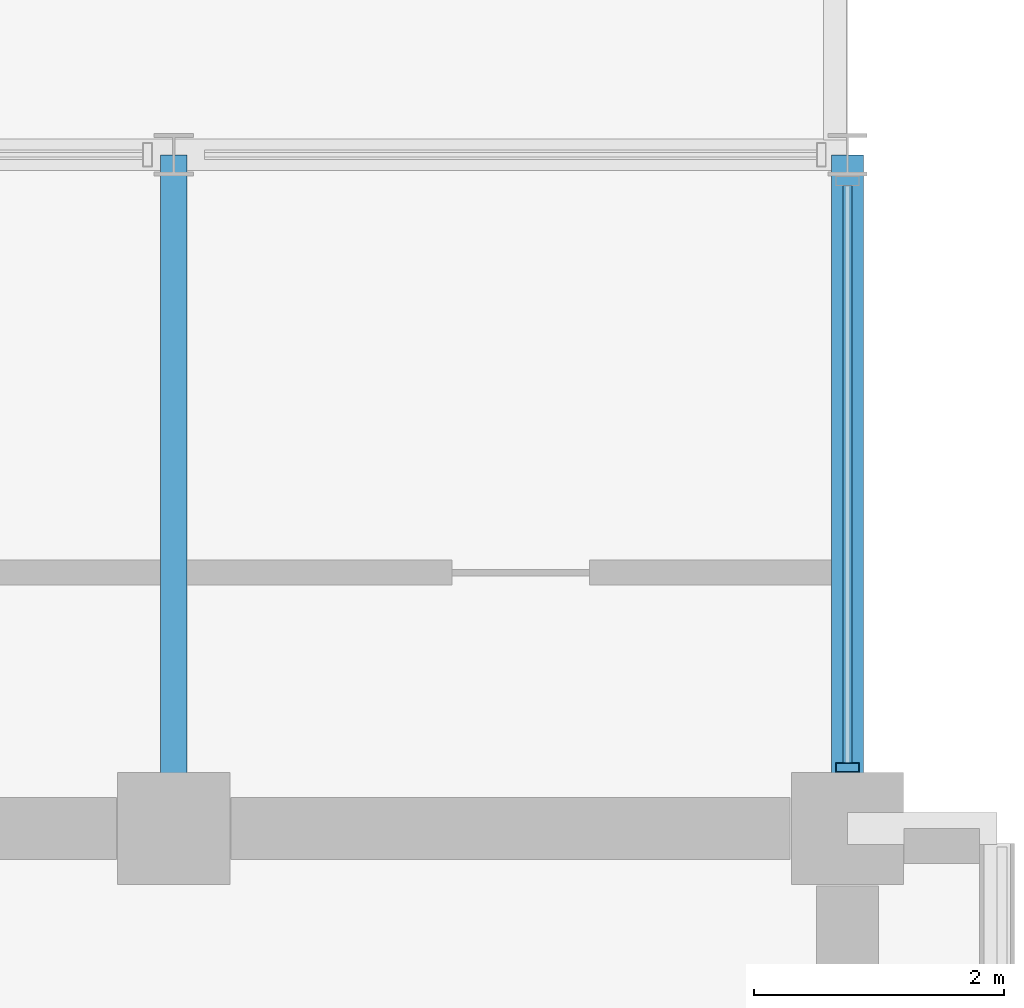
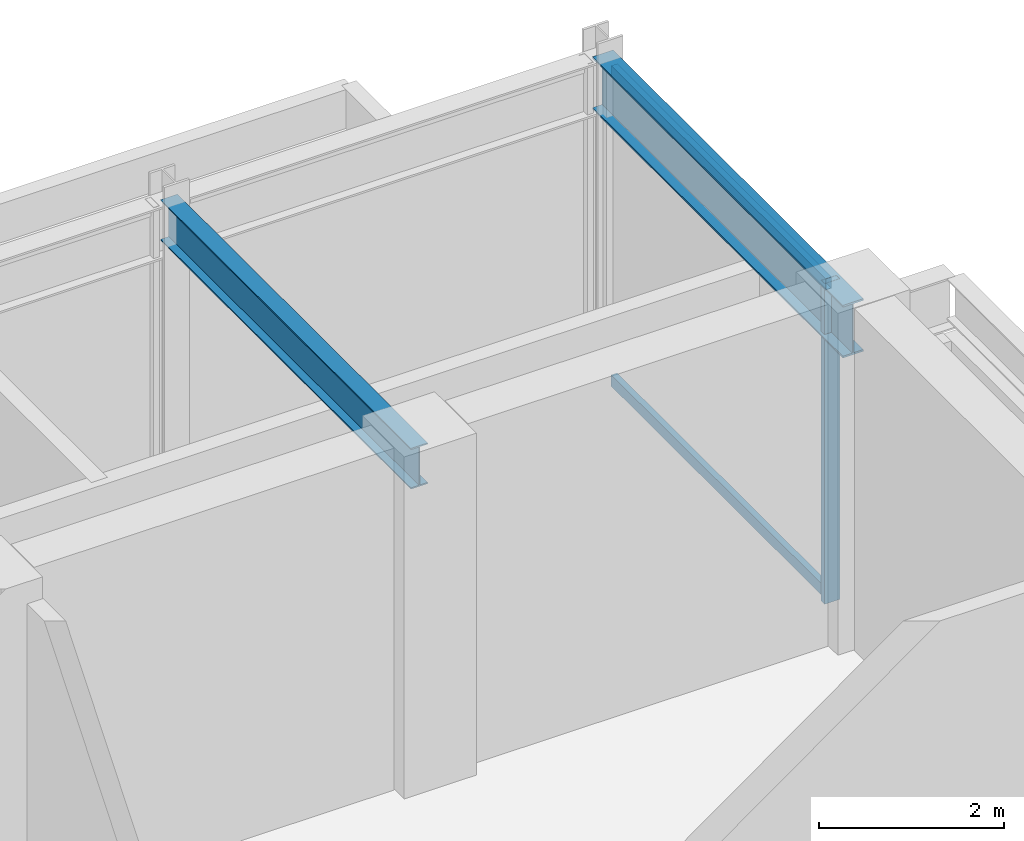
# One storey, part 9 of 18: 3 members, 2 beams, 1 element without a shape of its own.
"""IFC4 building model written with IfcOpenShell, lengths in metres."""

from ifc_helpers import new_model, si_unit, direction, frame, origin, origin_2d, place, context, subcontext, project, spatial, hollow_rectangle, i_section, extrude, material, layer, layer_set, material_profile, profile_set, type_object, element, aggregate, save


model = new_model("IFC4")

# Units and contexts
model_context = context("Model", 3, precision=1e-05, world=origin(), true_north=direction((0.0, 1.0)))
body_context = subcontext(model_context, "Body", "Model", "MODEL_VIEW")
ifc_project = project(units=[si_unit("LENGTHUNIT", "METRE"), si_unit("AREAUNIT", "SQUARE_METRE"), si_unit("VOLUMEUNIT", "CUBIC_METRE"), si_unit("PLANEANGLEUNIT", "RADIAN"), si_unit("MASSUNIT", "GRAM", prefix="KILO")], contexts=[model_context])

# Site, building, storey
site_placement = place(None, origin())
site = spatial("IfcSite", under=ifc_project, at=site_placement, CompositionType="ELEMENT")
building_placement = place(site_placement, origin())
building = spatial("IfcBuilding", under=site, at=building_placement, Name="Surkhivell Harbour Commons", CompositionType="ELEMENT")
storey_placement = place(building_placement, frame((0.0, 0.0, 355.5)))
storey = spatial("IfcBuildingStorey", under=building, at=storey_placement, Name="L92", CompositionType="ELEMENT", Elevation=355.5)

# Beams
ifc_material_1 = material(Name="Steel S355", Category="steel")
ifc_material_profile_1 = material_profile(ifc_material_1, i_section(OverallWidth=0.2099609375, OverallDepth=0.537109375, WebThickness=0.0107421875, FlangeThickness=0.017333984375, at=origin_2d()), Name="UB533x210x101")
ifc_profile_set_1 = profile_set([ifc_material_profile_1], Name="Steel S355")
beam_type_1 = type_object("IfcBeamType", Name="BM-GRD-533B", PredefinedType="BEAM", material=ifc_profile_set_1)
beam_1_placement = place(storey_placement, frame((5.39990234375, 10.800048828125, 3.951416015625), z_axis=(0.0, 1.0, 0.0), x_axis=(-1.0, 0.0, 0.0)))
element("IfcBeam", 1, at=beam_1_placement, inside=storey, type_object=beam_type_1, Name="L92 Floor Girder (5.4,10.8)", PredefinedType="BEAM", context=body_context, shape_type="SweptSolid", body=[
    extrude(i_section(OverallWidth=0.2099609375, OverallDepth=0.537109375, WebThickness=0.0107421875, FlangeThickness=0.017333984375, at=origin_2d()), origin(), (0.0, 0.0, 1.0), 5.39990234375),
])
ifc_material_profile_2 = material_profile(ifc_material_1, i_section(OverallWidth=0.256103515625, OverallDepth=0.693115234375, WebThickness=0.014404296875, FlangeThickness=0.023681640625, at=origin_2d()), Name="UB686x254x170")
ifc_profile_set_2 = profile_set([ifc_material_profile_2], Name="Steel S355")
beam_type_2 = type_object("IfcBeamType", Name="BM-SPN-686", PredefinedType="SPANDREL", material=ifc_profile_set_2)
beam_2_placement = place(storey_placement, frame((10.800048828125, 10.800048828125, 3.87353515625), z_axis=(0.0, 1.0, 0.0), x_axis=(-1.0, 0.0, 0.0)))
element("IfcBeam", 2, at=beam_2_placement, inside=storey, type_object=beam_type_2, Name="L92 Tube Spandrel (10.8,10.8)", PredefinedType="SPANDREL", context=body_context, shape_type="SweptSolid", body=[
    extrude(i_section(OverallWidth=0.256103515625, OverallDepth=0.693115234375, WebThickness=0.014404296875, FlangeThickness=0.023681640625, at=origin_2d()), origin(), (0.0, 0.0, 1.0), 5.39990234375),
])

# Curtain wall, members
ifc_material_2 = material(Name="Anodised pale-metal aluminium and insulated glazing", Category="aluminium")
ifc_layer = layer(ifc_material_2, 0.22998046875)
ifc_layer_set = layer_set([ifc_layer], Name="Anodised pale-metal aluminium and insulated glazing")
curtain_wall_type = type_object("IfcCurtainWallType", Name="CW-SYS-CRN", PredefinedType="NOTDEFINED", material=ifc_layer_set)
curtain_wall_placement = place(storey_placement, origin())
curtain_wall = element("IfcCurtainWall", 3, at=curtain_wall_placement, inside=storey, type_object=curtain_wall_type, Name="L92 Curtain Wall CW-L92-C01S2", PredefinedType="NOTDEFINED")
ifc_material_3 = material(Name="Anodised pale-metal aluminium alloy 6063-T6", Category="aluminium")
ifc_material_profile_3 = material_profile(ifc_material_3, hollow_rectangle(XDim=0.074951171875, YDim=0.18994140625, WallThickness=0.00390625, at=origin_2d()), Name="ALU-MULL-75x190")
ifc_profile_set_3 = profile_set([ifc_material_profile_3], Name="Anodised pale-metal aluminium alloy 6063-T6")
member_type_1 = type_object("IfcMemberType", Name="CWM-190", PredefinedType="MULLION", material=ifc_profile_set_3)
member_1_placement = place(storey_placement, frame((10.800048828125, 11.28955078125, 0.0), z_axis=(0.0, 0.0, 1.0), x_axis=(0.0, 1.0, 0.0)))
member_1 = element("IfcMember", 4, at=member_1_placement, type_object=member_type_1, Name="CW-CRN mullion 1", PredefinedType="MULLION", context=body_context, shape_type="SweptSolid", body=[
    extrude(hollow_rectangle(XDim=0.074951171875, YDim=0.18994140625, WallThickness=0.00390625, at=origin_2d()), origin(), (0.0, 0.0, 1.0), 4.219970703125),
])
ifc_material_profile_4 = material_profile(ifc_material_3, hollow_rectangle(XDim=0.074951171875, YDim=0.14990234375, WallThickness=0.00341796875, at=origin_2d()), Name="ALU-TRAN-75x150")
ifc_profile_set_4 = profile_set([ifc_material_profile_4], Name="Anodised pale-metal aluminium alloy 6063-T6")
member_type_2 = type_object("IfcMemberType", Name="CWT-150", PredefinedType="USERDEFINED", material=ifc_profile_set_4)
member_2_placement = place(storey_placement, frame((10.800048828125, 11.326904296875, 0.074951171875), z_axis=(0.0, 1.0, 0.0), x_axis=(-1.0, 0.0, 0.0)))
member_2 = element("IfcMember", 5, at=member_2_placement, type_object=member_type_2, Name="CW-CRN transom 1.1", ObjectType="TRANSOM", PredefinedType="USERDEFINED", context=body_context, shape_type="SweptSolid", body=[
    extrude(hollow_rectangle(XDim=0.074951171875, YDim=0.14990234375, WallThickness=0.00341796875, at=origin_2d()), origin(), (0.0, 0.0, 1.0), 4.6259765625),
])
member_3_placement = place(storey_placement, frame((10.800048828125, 11.326904296875, 4.14501953125), z_axis=(0.0, 1.0, 0.0), x_axis=(-1.0, 0.0, 0.0)))
member_3 = element("IfcMember", 6, at=member_3_placement, type_object=member_type_2, Name="CW-CRN transom 1.2", ObjectType="TRANSOM", PredefinedType="USERDEFINED", context=body_context, shape_type="SweptSolid", body=[
    extrude(hollow_rectangle(XDim=0.074951171875, YDim=0.14990234375, WallThickness=0.00341796875, at=origin_2d()), origin(), (0.0, 0.0, 1.0), 4.6259765625),
])
aggregate(curtain_wall, [member_1, member_2, member_3])

save(model, "model.ifc")
